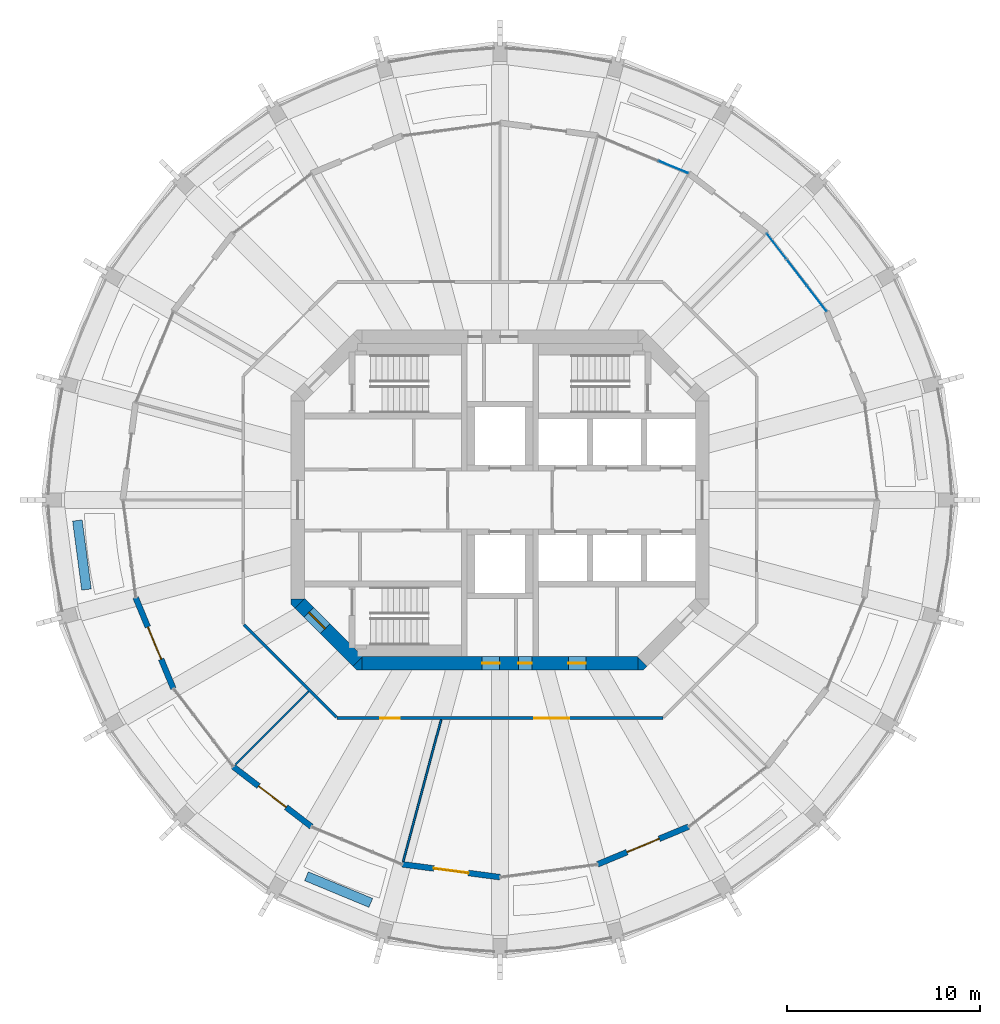
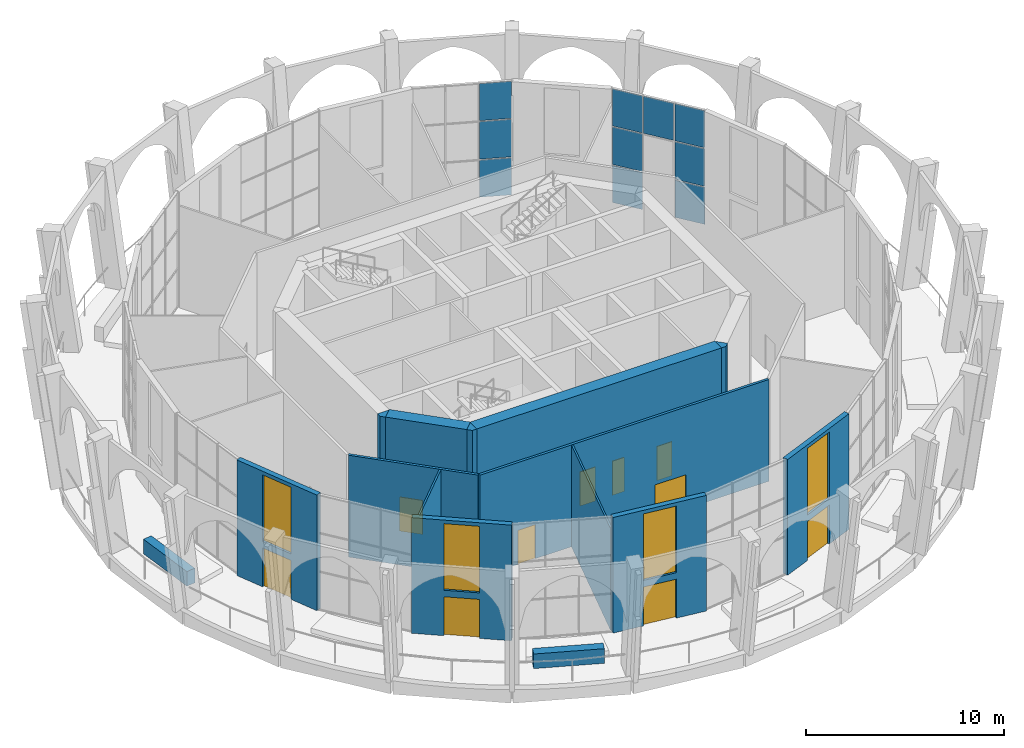
# One storey, part 9 of 16: 15 walls, 10 doors, 10 plates, 4 windows, 14 openings, 2 elements without a shape of their own.
"""IFC4 building model written with IfcOpenShell, lengths in metres."""

from ifc_helpers import new_model, si_unit, direction, frame, frame_2d, origin, origin_2d, place, context, subcontext, project, spatial, polyline, rectangle, outline, extrude, material, layer, layer_set, type_object, element, fill, aggregate, save


model = new_model("IFC4")

# Units and contexts
model_context = context("Model", 3, precision=1e-05, world=origin(), true_north=direction((0.0, 1.0)))
body_context = subcontext(model_context, "Body", "Model", "MODEL_VIEW")
ifc_project = project(units=[si_unit("LENGTHUNIT", "METRE"), si_unit("AREAUNIT", "SQUARE_METRE"), si_unit("VOLUMEUNIT", "CUBIC_METRE"), si_unit("PLANEANGLEUNIT", "RADIAN"), si_unit("MASSUNIT", "GRAM", prefix="KILO")], contexts=[model_context])

# Site, building, storey
site_placement = place(None, origin())
site = spatial("IfcSite", under=ifc_project, at=site_placement, CompositionType="ELEMENT")
building_placement = place(site_placement, origin())
building = spatial("IfcBuilding", under=site, at=building_placement, Name="Torre Triforio", CompositionType="ELEMENT")
storey_placement = place(building_placement, frame((0.0, 0.0, 218.699951171875)))
storey = spatial("IfcBuildingStorey", under=building, at=storey_placement, Name="L50", CompositionType="ELEMENT", Elevation=218.699951171875)

# Curtain wall, plates
ifc_material_1 = material(Name="Aluminium mullion and transom frame with clear laminated glass", Category="aluminium")
curtain_wall_type = type_object("IfcCurtainWallType", Name="Sky garden conservatory wall ECW3", PredefinedType="NOTDEFINED", material=ifc_material_1)
curtain_wall_1_placement = place(storey_placement, origin())
curtain_wall_1 = element("IfcCurtainWall", 1, at=curtain_wall_1_placement, inside=storey, type_object=curtain_wall_type, Name="Conservatory wall L50 bay 03", PredefinedType="NOTDEFINED")
ifc_material_2 = material(Name="Clear laminated glass", Category="glass")
ifc_layer_1 = layer(ifc_material_2, 0.028076171875)
ifc_layer_set_1 = layer_set([ifc_layer_1], Name="Clear laminated glass")
plate_type = type_object("IfcPlateType", Name="ECW3 glass panel 28", PredefinedType="CURTAIN_PANEL", material=ifc_layer_set_1)
plate_1_placement = place(storey_placement, frame((16.3740234375, 10.419189453125, 0.06005859375), z_axis=(0.0, 0.0, 1.0), x_axis=(-0.608767351111, 0.793348796067, 0.0)))
plate_1 = element("IfcPlate", 2, at=plate_1_placement, type_object=plate_type, Name="ECW3 panel 1.1", PredefinedType="CURTAIN_PANEL", context=body_context, shape_type="SweptSolid", body=[
    extrude(rectangle(XDim=1.626953125, YDim=0.028076171875, at=origin_2d()), origin(), (0.0, 0.0, 1.0), 2.283203125),
])
plate_2_placement = place(storey_placement, frame((16.3740234375, 10.419189453125, 2.4033203125), z_axis=(0.0, 0.0, 1.0), x_axis=(-0.608767351111, 0.793348796067, 0.0)))
plate_2 = element("IfcPlate", 3, at=plate_2_placement, type_object=plate_type, Name="ECW3 panel 1.2", PredefinedType="CURTAIN_PANEL", context=body_context, shape_type="SweptSolid", body=[
    extrude(rectangle(XDim=1.626953125, YDim=0.028076171875, at=origin_2d()), origin(), (0.0, 0.0, 1.0), 2.3134765625),
])
plate_3_placement = place(storey_placement, frame((16.3740234375, 10.419189453125, 4.77685546875), z_axis=(0.0, 0.0, 1.0), x_axis=(-0.608767351111, 0.793348796067, 0.0)))
plate_3 = element("IfcPlate", 4, at=plate_3_placement, type_object=plate_type, Name="ECW3 panel 1.3", PredefinedType="CURTAIN_PANEL", context=body_context, shape_type="SweptSolid", body=[
    extrude(rectangle(XDim=1.626953125, YDim=0.028076171875, at=origin_2d()), origin(), (0.0, 0.0, 1.0), 2.283203125),
])
plate_4_placement = place(storey_placement, frame((15.338134765625, 11.769287109375, 4.77685546875), z_axis=(0.0, 0.0, 1.0), x_axis=(-0.608767351111, 0.793348796067, 0.0)))
plate_4 = element("IfcPlate", 5, at=plate_4_placement, type_object=plate_type, Name="ECW3 panel 2.3", PredefinedType="CURTAIN_PANEL", context=body_context, shape_type="SweptSolid", body=[
    extrude(rectangle(XDim=1.65673828125, YDim=0.028076171875, at=origin_2d()), origin(), (0.0, 0.0, 1.0), 2.283203125),
])
plate_5_placement = place(storey_placement, frame((14.302001953125, 13.119384765625, 0.06005859375), z_axis=(0.0, 0.0, 1.0), x_axis=(-0.608767351111, 0.793348796067, 0.0)))
plate_5 = element("IfcPlate", 6, at=plate_5_placement, type_object=plate_type, Name="ECW3 panel 3.1", PredefinedType="CURTAIN_PANEL", context=body_context, shape_type="SweptSolid", body=[
    extrude(rectangle(XDim=1.626953125, YDim=0.028076171875, at=origin_2d()), origin(), (0.0, 0.0, 1.0), 2.283203125),
])
plate_6_placement = place(storey_placement, frame((14.302001953125, 13.119384765625, 2.4033203125), z_axis=(0.0, 0.0, 1.0), x_axis=(-0.608767351111, 0.793348796067, 0.0)))
plate_6 = element("IfcPlate", 7, at=plate_6_placement, type_object=plate_type, Name="ECW3 panel 3.2", PredefinedType="CURTAIN_PANEL", context=body_context, shape_type="SweptSolid", body=[
    extrude(rectangle(XDim=1.626953125, YDim=0.028076171875, at=origin_2d()), origin(), (0.0, 0.0, 1.0), 2.3134765625),
])
plate_7_placement = place(storey_placement, frame((14.302001953125, 13.119384765625, 4.77685546875), z_axis=(0.0, 0.0, 1.0), x_axis=(-0.608767351111, 0.793348796067, 0.0)))
plate_7 = element("IfcPlate", 8, at=plate_7_placement, type_object=plate_type, Name="ECW3 panel 3.3", PredefinedType="CURTAIN_PANEL", context=body_context, shape_type="SweptSolid", body=[
    extrude(rectangle(XDim=1.626953125, YDim=0.028076171875, at=origin_2d()), origin(), (0.0, 0.0, 1.0), 2.283203125),
])
aggregate(curtain_wall_1, [plate_1, plate_2, plate_3, plate_4, plate_5, plate_6, plate_7])

curtain_wall_2_placement = place(storey_placement, origin())
curtain_wall_2 = element("IfcCurtainWall", 9, at=curtain_wall_2_placement, inside=storey, type_object=curtain_wall_type, Name="Conservatory wall L50 bay 05", PredefinedType="NOTDEFINED")
plate_8_placement = place(storey_placement, frame((8.970703125, 17.210205078125, 0.06005859375), z_axis=(0.0, 0.0, 1.0), x_axis=(-0.923879107955, 0.382684457334, 0.0)))
plate_8 = element("IfcPlate", 10, at=plate_8_placement, type_object=plate_type, Name="ECW3 panel 1.1", PredefinedType="CURTAIN_PANEL", context=body_context, shape_type="SweptSolid", body=[
    extrude(rectangle(XDim=1.626708984375, YDim=0.028076171875, at=origin_2d()), origin(), (0.0, 0.0, 1.0), 2.283203125),
])
plate_9_placement = place(storey_placement, frame((8.970703125, 17.210205078125, 2.4033203125), z_axis=(0.0, 0.0, 1.0), x_axis=(-0.923879107955, 0.382684457334, 0.0)))
plate_9 = element("IfcPlate", 11, at=plate_9_placement, type_object=plate_type, Name="ECW3 panel 1.2", PredefinedType="CURTAIN_PANEL", context=body_context, shape_type="SweptSolid", body=[
    extrude(rectangle(XDim=1.626708984375, YDim=0.028076171875, at=origin_2d()), origin(), (0.0, 0.0, 1.0), 2.3134765625),
])
plate_10_placement = place(storey_placement, frame((8.970703125, 17.210205078125, 4.77685546875), z_axis=(0.0, 0.0, 1.0), x_axis=(-0.923879107955, 0.382684457334, 0.0)))
plate_10 = element("IfcPlate", 12, at=plate_10_placement, type_object=plate_type, Name="ECW3 panel 1.3", PredefinedType="CURTAIN_PANEL", context=body_context, shape_type="SweptSolid", body=[
    extrude(rectangle(XDim=1.626708984375, YDim=0.028076171875, at=origin_2d()), origin(), (0.0, 0.0, 1.0), 2.283203125),
])
aggregate(curtain_wall_2, [plate_8, plate_9, plate_10])

# Wall, openings, doors
ifc_material_3 = material(Name="Concrete C50", Category="concrete")
ifc_layer_2 = layer(ifc_material_3, 0.699951171875)
ifc_layer_set_2 = layer_set([ifc_layer_2], Name="Concrete C50")
wall_type_1 = type_object("IfcWallType", Name="Core wall 700 mm C50 EI 120", PredefinedType="SHEAR", material=ifc_layer_set_2)
wall_1_placement = place(storey_placement, frame((-7.1298828125, -8.449951171875, -0.280029296875), z_axis=(0.0, 0.0, 1.0), x_axis=(1.0, 0.0, 0.0)))
wall_1 = element("IfcWall", 13, at=wall_1_placement, inside=storey, type_object=wall_type_1, Name="Core wall", PredefinedType="SHEAR", context=body_context, shape_type="SweptSolid", body=[
    extrude(rectangle(XDim=14.259765625, YDim=0.699951171875, at=frame_2d((7.1298828125, 0.0))), origin(), (0.0, 0.0, 1.0), 7.400146484375),
])
opening_1_placement = place(wall_1_placement, frame((8.080078125, 0.0, 0.280029296875)))
opening_1 = element("IfcOpeningElement", 14, at=opening_1_placement, cuts=wall_1, Name="Opening RISER-S", PredefinedType="OPENING", context=body_context, shape_type="SweptSolid", body=[
    extrude(rectangle(XDim=0.699951171875, YDim=2.10009765625, at=frame_2d((0.35009765625, 1.050048828125))), frame((0.0, 0.35986328125, 0.0), z_axis=(0.0, -1.0, 0.0), x_axis=(1.0, 0.0, 0.0)), (0.0, 0.0, 1.0), 0.719970703125),
])
opening_2_placement = place(wall_1_placement, frame((6.205078125, 0.0, 0.280029296875)))
opening_2 = element("IfcOpeningElement", 15, at=opening_2_placement, cuts=wall_1, Name="Opening SW-01B", PredefinedType="OPENING", context=body_context, shape_type="SweptSolid", body=[
    extrude(rectangle(XDim=0.89990234375, YDim=2.10009765625, at=frame_2d((0.449951171875, 1.050048828125))), frame((0.0, 0.35986328125, 0.0), z_axis=(0.0, -1.0, 0.0), x_axis=(1.0, 0.0, 0.0)), (0.0, 0.0, 1.0), 0.719970703125),
])
opening_3_placement = place(wall_1_placement, frame((10.66748046875, 0.0, 0.280029296875)))
opening_3 = element("IfcOpeningElement", 16, at=opening_3_placement, cuts=wall_1, Name="Opening SE-01A", PredefinedType="OPENING", context=body_context, shape_type="SweptSolid", body=[
    extrude(rectangle(XDim=0.89990234375, YDim=2.10009765625, at=frame_2d((0.449951171875, 1.050048828125))), frame((0.0, 0.35986328125, 0.0), z_axis=(0.0, -1.0, 0.0), x_axis=(1.0, 0.0, 0.0)), (0.0, 0.0, 1.0), 0.719970703125),
])
ifc_material_4 = material(Name="Hollow metal fire door leaf")
door_type_1 = type_object("IfcDoorType", Name="Riser door 700 x 2100 EI 60", OperationType="NOTDEFINED", PredefinedType="DOOR", material=ifc_material_4)
door_1_placement = place(opening_1_placement, origin())
door_1 = element("IfcDoor", 17, at=door_1_placement, inside=storey, type_object=door_type_1, Name="Core door RISER-S", OperationType="SINGLE_SWING_RIGHT", OverallHeight=2.10009765625, OverallWidth=0.699951171875, PredefinedType="DOOR", context=body_context, shape_type="SweptSolid", body=[
    extrude(rectangle(XDim=0.699951171875, YDim=2.10009765625, at=frame_2d((0.35009765625, 1.050048828125))), frame((0.0, 0.02490234375, 0.0), z_axis=(0.0, -1.0, 0.0), x_axis=(1.0, 0.0, 0.0)), (0.0, 0.0, 1.0), 0.050048828125),
])
fill(opening_1, door_1)
door_type_2 = type_object("IfcDoorType", Name="Room door 900 x 2100 EI 60", OperationType="NOTDEFINED", PredefinedType="DOOR", material=ifc_material_4)
door_2_placement = place(opening_2_placement, origin())
door_2 = element("IfcDoor", 18, at=door_2_placement, inside=storey, type_object=door_type_2, Name="Core door SW-01", OperationType="SINGLE_SWING_LEFT", OverallHeight=2.10009765625, OverallWidth=0.89990234375, PredefinedType="DOOR", context=body_context, shape_type="SweptSolid", body=[
    extrude(rectangle(XDim=0.89990234375, YDim=2.10009765625, at=frame_2d((0.449951171875, 1.050048828125))), frame((0.0, 0.02490234375, 0.0), z_axis=(0.0, -1.0, 0.0), x_axis=(1.0, 0.0, 0.0)), (0.0, 0.0, 1.0), 0.050048828125),
])
fill(opening_2, door_2)
door_3_placement = place(opening_3_placement, origin())
door_3 = element("IfcDoor", 19, at=door_3_placement, inside=storey, type_object=door_type_2, Name="Core door SE-01", OperationType="SINGLE_SWING_LEFT", OverallHeight=2.10009765625, OverallWidth=0.89990234375, PredefinedType="DOOR", context=body_context, shape_type="SweptSolid", body=[
    extrude(rectangle(XDim=0.89990234375, YDim=2.10009765625, at=frame_2d((0.449951171875, 1.050048828125))), frame((0.0, 0.02490234375, 0.0), z_axis=(0.0, -1.0, 0.0), x_axis=(1.0, 0.0, 0.0)), (0.0, 0.0, 1.0), 0.050048828125),
])
fill(opening_3, door_3)

# Wall, opening, door
wall_2_placement = place(storey_placement, frame((-7.347412109375, -8.347412109375, -0.280029296875), z_axis=(0.0, 0.0, 1.0), x_axis=(-0.707106781187, 0.707106781187, 0.0)))
wall_2 = element("IfcWall", 20, at=wall_2_placement, inside=storey, type_object=wall_type_1, Name="Core wall", PredefinedType="SHEAR", context=body_context, shape_type="SweptSolid", body=[
    extrude(rectangle(XDim=4.24267578125, YDim=0.699951171875, at=frame_2d((2.121337890625, 0.0))), origin(), (0.0, 0.0, 1.0), 7.400146484375),
])
opening_4_placement = place(wall_2_placement, frame((2.392578125, 0.0, 0.280029296875)))
opening_4 = element("IfcOpeningElement", 21, at=opening_4_placement, cuts=wall_2, Name="Opening ST3-EXIT", PredefinedType="OPENING", context=body_context, shape_type="SweptSolid", body=[
    extrude(rectangle(XDim=1.199951171875, YDim=2.10009765625, at=frame_2d((0.60009765625, 1.050048828125))), frame((0.0, 0.35986328125, 0.0), z_axis=(0.0, -1.0, 0.0), x_axis=(1.0, 0.0, 0.0)), (0.0, 0.0, 1.0), 0.719970703125),
])
door_type_3 = type_object("IfcDoorType", Name="Stair lobby door 1200 x 2100 EI 60", OperationType="NOTDEFINED", PredefinedType="DOOR", material=ifc_material_4)
door_4_placement = place(opening_4_placement, origin())
door_4 = element("IfcDoor", 22, at=door_4_placement, inside=storey, type_object=door_type_3, Name="Core door ST3-EXIT", OperationType="SINGLE_SWING_RIGHT", OverallHeight=2.10009765625, OverallWidth=1.199951171875, PredefinedType="DOOR", context=body_context, shape_type="SweptSolid", body=[
    extrude(rectangle(XDim=1.199951171875, YDim=2.10009765625, at=frame_2d((0.60009765625, 1.050048828125))), frame((0.0, 0.02490234375, 0.0), z_axis=(0.0, -1.0, 0.0), x_axis=(1.0, 0.0, 0.0)), (0.0, 0.0, 1.0), 0.050048828125),
])
fill(opening_4, door_4)

# Walls
wall_3_placement = place(storey_placement, frame((0.0, 0.0, -0.280029296875)))
element("IfcWall", 23, at=wall_3_placement, inside=storey, type_object=wall_type_1, Name="Core wall", PredefinedType="SHEAR", context=body_context, shape_type="SweptSolid", body=[
    extrude(outline(polyline([(-7.389892578125, -8.800048828125), (-7.594970703125, -8.594970703125), (-7.594970703125, -8.594970703125), (-7.594970703125, -8.594970703125), (-7.1298828125, -8.1298828125), (-7.1298828125, -8.800048828125), (-7.1298828125, -8.800048828125), (-7.389892578125, -8.800048828125)])), origin(), (0.0, 0.0, 1.0), 7.400146484375),
])
wall_4_placement = place(storey_placement, frame((0.0, 0.0, -0.280029296875)))
element("IfcWall", 24, at=wall_4_placement, inside=storey, type_object=wall_type_1, Name="Core wall", PredefinedType="SHEAR", context=body_context, shape_type="SweptSolid", body=[
    extrude(outline(polyline([(7.389892578125, -8.800048828125), (7.1298828125, -8.800048828125), (7.1298828125, -8.800048828125), (7.1298828125, -8.1298828125), (7.594970703125, -8.594970703125), (7.594970703125, -8.594970703125), (7.594970703125, -8.594970703125), (7.389892578125, -8.800048828125)])), origin(), (0.0, 0.0, 1.0), 7.400146484375),
])
wall_5_placement = place(storey_placement, frame((0.0, 0.0, -0.280029296875)))
element("IfcWall", 25, at=wall_5_placement, inside=storey, type_object=wall_type_1, Name="Core wall", PredefinedType="SHEAR", context=body_context, shape_type="SweptSolid", body=[
    extrude(outline(polyline([(-10.800048828125, -5.389892578125), (-10.800048828125, -5.1298828125), (-10.800048828125, -5.1298828125), (-10.1298828125, -5.1298828125), (-10.594970703125, -5.594970703125), (-10.594970703125, -5.594970703125), (-10.594970703125, -5.594970703125), (-10.800048828125, -5.389892578125)])), origin(), (0.0, 0.0, 1.0), 7.400146484375),
])

# Wall, openings, doors
ifc_material_5 = material(Name="Plasterboard on metal studs")
ifc_layer_3 = layer(ifc_material_5, 0.14990234375)
ifc_layer_set_3 = layer_set([ifc_layer_3], Name="Plasterboard on metal studs")
wall_type_2 = type_object("IfcWallType", Name="Corridor and tenancy wall 150 mm EI 60", PredefinedType="PARTITIONING", material=ifc_layer_set_3)
wall_6_placement = place(storey_placement, frame((8.4150390625, -11.27490234375, 0.0), z_axis=(0.0, 0.0, 1.0), x_axis=(-1.0, 0.0, 0.0)))
wall_6 = element("IfcWall", 26, at=wall_6_placement, inside=storey, type_object=wall_type_2, Name="Partition 2", PredefinedType="PARTITIONING", context=body_context, shape_type="SweptSolid", body=[
    extrude(rectangle(XDim=16.830078125, YDim=0.14990234375, at=frame_2d((8.4150390625, 0.0))), origin(), (0.0, 0.0, 1.0), 6.27001953125),
])
opening_5_placement = place(wall_6_placement, frame((13.6083984375, 0.0, 0.0)))
opening_5 = element("IfcOpeningElement", 27, at=opening_5_placement, cuts=wall_6, Name="Opening G3-06", PredefinedType="OPENING", context=body_context, shape_type="SweptSolid", body=[
    extrude(rectangle(XDim=1.0, YDim=2.10009765625, at=frame_2d((0.5, 1.050048828125))), frame((0.0, 0.0849609375, 0.0), z_axis=(0.0, -1.0, 0.0), x_axis=(1.0, 0.0, 0.0)), (0.0, 0.0, 1.0), 0.169921875),
])
opening_6_placement = place(wall_6_placement, frame((4.843994140625, 0.0, 0.0)))
opening_6 = element("IfcOpeningElement", 28, at=opening_6_placement, cuts=wall_6, Name="Opening G3-07", PredefinedType="OPENING", context=body_context, shape_type="SweptSolid", body=[
    extrude(rectangle(XDim=1.800048828125, YDim=2.10009765625, at=frame_2d((0.89990234375, 1.050048828125))), frame((0.0, 0.0849609375, 0.0), z_axis=(0.0, -1.0, 0.0), x_axis=(1.0, 0.0, 0.0)), (0.0, 0.0, 1.0), 0.169921875),
])
ifc_material_6 = material(Name="Timber", Category="wood")
door_type_4 = type_object("IfcDoorType", Name="Door 1000 x 2100 single leaf EI 30", OperationType="NOTDEFINED", PredefinedType="DOOR", material=ifc_material_6)
door_5_placement = place(opening_5_placement, origin())
door_5 = element("IfcDoor", 29, at=door_5_placement, inside=storey, type_object=door_type_4, Name="Door G3-06", OperationType="SINGLE_SWING_LEFT", OverallHeight=2.10009765625, OverallWidth=1.0, PredefinedType="DOOR", context=body_context, shape_type="SweptSolid", body=[
    extrude(rectangle(XDim=1.0, YDim=2.10009765625, at=frame_2d((0.5, 1.050048828125))), frame((0.0, 0.02490234375, 0.0), z_axis=(0.0, -1.0, 0.0), x_axis=(1.0, 0.0, 0.0)), (0.0, 0.0, 1.0), 0.050048828125),
])
fill(opening_5, door_5)
door_type_5 = type_object("IfcDoorType", Name="Door 1800 x 2100 double leaf EI 30", OperationType="DOUBLE_DOOR_SINGLE_SWING", PredefinedType="DOOR", material=ifc_material_6)
door_6_placement = place(opening_6_placement, origin())
door_6 = element("IfcDoor", 30, at=door_6_placement, inside=storey, type_object=door_type_5, Name="Door G3-07", OperationType="DOUBLE_DOOR_SINGLE_SWING", OverallHeight=2.10009765625, OverallWidth=1.800048828125, PredefinedType="DOOR", context=body_context, shape_type="SweptSolid", body=[
    extrude(rectangle(XDim=1.800048828125, YDim=2.10009765625, at=frame_2d((0.89990234375, 1.050048828125))), frame((0.0, 0.02490234375, 0.0), z_axis=(0.0, -1.0, 0.0), x_axis=(1.0, 0.0, 0.0)), (0.0, 0.0, 1.0), 0.050048828125),
])
fill(opening_6, door_6)

# Walls
wall_7_placement = place(storey_placement, frame((-8.452392578125, -11.23779296875, 0.0), z_axis=(0.0, 0.0, 1.0), x_axis=(-0.707106781187, 0.707106781187, 0.0)))
element("IfcWall", 31, at=wall_7_placement, inside=storey, type_object=wall_type_2, Name="Partition 3", PredefinedType="PARTITIONING", context=body_context, shape_type="SweptSolid", body=[
    extrude(rectangle(XDim=6.767578125, YDim=0.14990234375, at=frame_2d((3.3837890625, 0.0))), origin(), (0.0, 0.0, 1.0), 6.27001953125),
])
ifc_layer_4 = layer(ifc_material_5, 0.10009765625)
ifc_layer_set_4 = layer_set([ifc_layer_4], Name="Plasterboard on metal studs")
wall_type_3 = type_object("IfcWallType", Name="Partition 100 mm board on metal studs", PredefinedType="PARTITIONING", material=ifc_layer_set_4)
wall_8_placement = place(storey_placement, frame((-9.898193359375, -9.898193359375, 0.0), z_axis=(0.0, 0.0, 1.0), x_axis=(-0.707106781187, -0.707106781187, 0.0)))
element("IfcWall", 32, at=wall_8_placement, inside=storey, type_object=wall_type_3, Name="Partition 18", PredefinedType="PARTITIONING", context=body_context, shape_type="SweptSolid", body=[
    extrude(rectangle(XDim=5.338623046875, YDim=0.10009765625, at=frame_2d((2.66943359375, 0.0))), origin(), (0.0, 0.0, 1.0), 6.27001953125),
])
wall_9_placement = place(storey_placement, frame((-3.045166015625, -11.3642578125, 0.0), z_axis=(0.0, 0.0, 1.0), x_axis=(-0.25879840648, -0.965931356155, 0.0)))
element("IfcWall", 33, at=wall_9_placement, inside=storey, type_object=wall_type_3, Name="Partition 19", PredefinedType="PARTITIONING", context=body_context, shape_type="SweptSolid", body=[
    extrude(rectangle(XDim=7.571533203125, YDim=0.10009765625, at=frame_2d((3.78564453125, 0.0))), origin(), (0.0, 0.0, 1.0), 6.27001953125),
])
ifc_material_7 = material(Name="Limestone cladding", Category="masonry")
ifc_layer_5 = layer(ifc_material_7, 0.10009765625)
ifc_material_8 = material(Name="Concrete C40", Category="concrete")
ifc_layer_6 = layer(ifc_material_8, 0.39990234375)
ifc_layer_set_5 = layer_set([ifc_layer_5, ifc_layer_6], Name="Limestone cladding / Concrete C40")
wall_type_4 = type_object("IfcWallType", Name="Planter wall 500", PredefinedType="PARAPET", material=ifc_layer_set_5)
for number, where, z_axis, x_axis, name in (
    (34, (-21.848388671875, -1.060791015625, 0.0), (0.0, 0.0, 1.0), (0.130475563272, -0.991451525486, 0.0), "Planter L50 bay 13"),
    (35, (-10.005615234375, -19.45166015625, 0.0), (0.0, 0.0, 1.0), (0.923885420167, -0.382669217998, 0.0), "Planter L50 bay 17"),
):
    element("IfcWall", number, at=place(storey_placement, frame(where, z_axis=z_axis, x_axis=x_axis)), inside=storey, type_object=wall_type_4, Name=name, PredefinedType="PARAPET", context=body_context, shape_type="SweptSolid", body=[
        extrude(rectangle(XDim=3.60009765625, YDim=0.5, at=frame_2d((1.800048828125, 0.0))), origin(), (0.0, 0.0, 1.0), 0.900146484375),
    ])

# Wall, openings, window, door
ifc_layer_7 = layer(ifc_material_7, 0.10009765625)
ifc_layer_8 = layer(ifc_material_8, 0.199951171875)
ifc_layer_set_6 = layer_set([ifc_layer_7, ifc_layer_8], Name="Limestone cladding / Concrete C40")
wall_type_5 = type_object("IfcWallType", Name="Stone-faced composite wall 300", PredefinedType="STANDARD", material=ifc_layer_set_6)
wall_10_placement = place(storey_placement, frame((-18.835693359375, -5.047119140625, 0.0), z_axis=(0.0, 0.0, 1.0), x_axis=(0.382724538613, -0.923862504675, 0.0)))
wall_10 = element("IfcWall", 36, at=wall_10_placement, inside=storey, type_object=wall_type_5, Name="External wall L50 bay 14", PredefinedType="STANDARD", context=body_context, shape_type="SweptSolid", body=[
    extrude(rectangle(XDim=5.090576171875, YDim=0.300048828125, at=frame_2d((2.54541015625, 0.0))), origin(), (0.0, 0.0, 1.0), 7.1201171875),
])
opening_7_placement = place(wall_10_placement, frame((1.645263671875, 0.0, 0.0)))
opening_7 = element("IfcOpeningElement", 37, at=opening_7_placement, cuts=wall_10, Name="Opening G3-D14", PredefinedType="OPENING", context=body_context, shape_type="SweptSolid", body=[
    extrude(rectangle(XDim=1.800048828125, YDim=2.39990234375, at=frame_2d((0.89990234375, 1.199951171875))), frame((0.0, 0.159912109375, 0.0), z_axis=(0.0, -1.0, 0.0), x_axis=(1.0, 0.0, 0.0)), (0.0, 0.0, 1.0), 0.320068359375),
])
opening_8_placement = place(wall_10_placement, frame((1.645263671875, 0.0, 2.800048828125)))
opening_8 = element("IfcOpeningElement", 38, at=opening_8_placement, cuts=wall_10, Name="Opening G3-W14", PredefinedType="OPENING", context=body_context, shape_type="SweptSolid", body=[
    extrude(rectangle(XDim=1.800048828125, YDim=4.10009765625, at=frame_2d((0.89990234375, 2.050048828125))), frame((0.0, 0.159912109375, 0.0), z_axis=(0.0, -1.0, 0.0), x_axis=(1.0, 0.0, 0.0)), (0.0, 0.0, 1.0), 0.320068359375),
])
ifc_material_9 = material(Name="Aluminium frame with clear double glazing", Category="aluminium")
window_type = type_object("IfcWindowType", Name="Garden clerestory window 1800 x 4100", PartitioningType="DOUBLE_PANEL_VERTICAL", PredefinedType="WINDOW", material=ifc_material_9)
window_1_placement = place(opening_8_placement, origin())
window_1 = element("IfcWindow", 39, at=window_1_placement, inside=storey, type_object=window_type, Name="Clerestory EWN22 L50 bay 14", OverallHeight=4.10009765625, OverallWidth=1.800048828125, PartitioningType="SINGLE_PANEL", PredefinedType="WINDOW", context=body_context, shape_type="SweptSolid", body=[
    extrude(rectangle(XDim=1.800048828125, YDim=4.10009765625, at=frame_2d((0.89990234375, 2.050048828125))), frame((0.0, 0.030029296875, 0.0), z_axis=(0.0, -1.0, 0.0), x_axis=(1.0, 0.0, 0.0)), (0.0, 0.0, 1.0), 0.06005859375),
])
fill(opening_8, window_1)
door_type_6 = type_object("IfcDoorType", Name="Terrace double door 1800 x 2400", OperationType="DOUBLE_DOOR_SINGLE_SWING", PredefinedType="DOOR", material=ifc_material_9)
door_7_placement = place(opening_7_placement, origin())
door_7 = element("IfcDoor", 40, at=door_7_placement, inside=storey, type_object=door_type_6, Name="Terrace door L50 bay 14", OperationType="SINGLE_SWING_LEFT", OverallHeight=2.39990234375, OverallWidth=1.800048828125, PredefinedType="DOOR", context=body_context, shape_type="SweptSolid", body=[
    extrude(rectangle(XDim=1.800048828125, YDim=2.39990234375, at=frame_2d((0.89990234375, 1.199951171875))), frame((0.0, 0.02490234375, 0.0), z_axis=(0.0, -1.0, 0.0), x_axis=(1.0, 0.0, 0.0)), (0.0, 0.0, 1.0), 0.050048828125),
])
fill(opening_7, door_7)

wall_11_placement = place(storey_placement, frame((-13.78857421875, -13.78857421875, 0.0), z_axis=(0.0, 0.0, 1.0), x_axis=(0.79335619014, -0.608757714995, 0.0)))
wall_11 = element("IfcWall", 41, at=wall_11_placement, inside=storey, type_object=wall_type_5, Name="External wall L50 bay 16", PredefinedType="STANDARD", context=body_context, shape_type="SweptSolid", body=[
    extrude(rectangle(XDim=5.090576171875, YDim=0.300048828125, at=frame_2d((2.54541015625, 0.0))), origin(), (0.0, 0.0, 1.0), 7.1201171875),
])
opening_9_placement = place(wall_11_placement, frame((1.645263671875, 0.0, 0.0)))
opening_9 = element("IfcOpeningElement", 42, at=opening_9_placement, cuts=wall_11, Name="Opening G3-D16", PredefinedType="OPENING", context=body_context, shape_type="SweptSolid", body=[
    extrude(rectangle(XDim=1.800048828125, YDim=2.39990234375, at=frame_2d((0.89990234375, 1.199951171875))), frame((0.0, 0.159912109375, 0.0), z_axis=(0.0, -1.0, 0.0), x_axis=(1.0, 0.0, 0.0)), (0.0, 0.0, 1.0), 0.320068359375),
])
opening_10_placement = place(wall_11_placement, frame((1.645263671875, 0.0, 2.800048828125)))
opening_10 = element("IfcOpeningElement", 43, at=opening_10_placement, cuts=wall_11, Name="Opening G3-W16", PredefinedType="OPENING", context=body_context, shape_type="SweptSolid", body=[
    extrude(rectangle(XDim=1.800048828125, YDim=4.10009765625, at=frame_2d((0.89990234375, 2.050048828125))), frame((0.0, 0.159912109375, 0.0), z_axis=(0.0, -1.0, 0.0), x_axis=(1.0, 0.0, 0.0)), (0.0, 0.0, 1.0), 0.320068359375),
])
window_2_placement = place(opening_10_placement, origin())
window_2 = element("IfcWindow", 44, at=window_2_placement, inside=storey, type_object=window_type, Name="Clerestory EWN22 L50 bay 16", OverallHeight=4.10009765625, OverallWidth=1.800048828125, PartitioningType="SINGLE_PANEL", PredefinedType="WINDOW", context=body_context, shape_type="SweptSolid", body=[
    extrude(rectangle(XDim=1.800048828125, YDim=4.10009765625, at=frame_2d((0.89990234375, 2.050048828125))), frame((0.0, 0.030029296875, 0.0), z_axis=(0.0, -1.0, 0.0), x_axis=(1.0, 0.0, 0.0)), (0.0, 0.0, 1.0), 0.06005859375),
])
fill(opening_10, window_2)
door_8_placement = place(opening_9_placement, origin())
door_8 = element("IfcDoor", 45, at=door_8_placement, inside=storey, type_object=door_type_6, Name="Terrace door L50 bay 16", OperationType="SINGLE_SWING_LEFT", OverallHeight=2.39990234375, OverallWidth=1.800048828125, PredefinedType="DOOR", context=body_context, shape_type="SweptSolid", body=[
    extrude(rectangle(XDim=1.800048828125, YDim=2.39990234375, at=frame_2d((0.89990234375, 1.199951171875))), frame((0.0, 0.02490234375, 0.0), z_axis=(0.0, -1.0, 0.0), x_axis=(1.0, 0.0, 0.0)), (0.0, 0.0, 1.0), 0.050048828125),
])
fill(opening_9, door_8)

wall_12_placement = place(storey_placement, frame((-5.047119140625, -18.835693359375, 0.0), z_axis=(0.0, 0.0, 1.0), x_axis=(0.99144890792, -0.130495451964, 0.0)))
wall_12 = element("IfcWall", 46, at=wall_12_placement, inside=storey, type_object=wall_type_5, Name="External wall L50 bay 18", PredefinedType="STANDARD", context=body_context, shape_type="SweptSolid", body=[
    extrude(rectangle(XDim=5.090576171875, YDim=0.300048828125, at=frame_2d((2.54541015625, 0.0))), origin(), (0.0, 0.0, 1.0), 7.1201171875),
])
opening_11_placement = place(wall_12_placement, frame((1.645263671875, 0.0, 0.0)))
opening_11 = element("IfcOpeningElement", 47, at=opening_11_placement, cuts=wall_12, Name="Opening G3-D18", PredefinedType="OPENING", context=body_context, shape_type="SweptSolid", body=[
    extrude(rectangle(XDim=1.800048828125, YDim=2.39990234375, at=frame_2d((0.89990234375, 1.199951171875))), frame((0.0, 0.159912109375, 0.0), z_axis=(0.0, -1.0, 0.0), x_axis=(1.0, 0.0, 0.0)), (0.0, 0.0, 1.0), 0.320068359375),
])
opening_12_placement = place(wall_12_placement, frame((1.645263671875, 0.0, 2.800048828125)))
opening_12 = element("IfcOpeningElement", 48, at=opening_12_placement, cuts=wall_12, Name="Opening G3-W18", PredefinedType="OPENING", context=body_context, shape_type="SweptSolid", body=[
    extrude(rectangle(XDim=1.800048828125, YDim=4.10009765625, at=frame_2d((0.89990234375, 2.050048828125))), frame((0.0, 0.159912109375, 0.0), z_axis=(0.0, -1.0, 0.0), x_axis=(1.0, 0.0, 0.0)), (0.0, 0.0, 1.0), 0.320068359375),
])
window_3_placement = place(opening_12_placement, origin())
window_3 = element("IfcWindow", 49, at=window_3_placement, inside=storey, type_object=window_type, Name="Clerestory EWN22 L50 bay 18", OverallHeight=4.10009765625, OverallWidth=1.800048828125, PartitioningType="SINGLE_PANEL", PredefinedType="WINDOW", context=body_context, shape_type="SweptSolid", body=[
    extrude(rectangle(XDim=1.800048828125, YDim=4.10009765625, at=frame_2d((0.89990234375, 2.050048828125))), frame((0.0, 0.030029296875, 0.0), z_axis=(0.0, -1.0, 0.0), x_axis=(1.0, 0.0, 0.0)), (0.0, 0.0, 1.0), 0.06005859375),
])
fill(opening_12, window_3)
door_9_placement = place(opening_11_placement, origin())
door_9 = element("IfcDoor", 50, at=door_9_placement, inside=storey, type_object=door_type_6, Name="Terrace door L50 bay 18", OperationType="SINGLE_SWING_LEFT", OverallHeight=2.39990234375, OverallWidth=1.800048828125, PredefinedType="DOOR", context=body_context, shape_type="SweptSolid", body=[
    extrude(rectangle(XDim=1.800048828125, YDim=2.39990234375, at=frame_2d((0.89990234375, 1.199951171875))), frame((0.0, 0.02490234375, 0.0), z_axis=(0.0, -1.0, 0.0), x_axis=(1.0, 0.0, 0.0)), (0.0, 0.0, 1.0), 0.050048828125),
])
fill(opening_11, door_9)

wall_13_placement = place(storey_placement, frame((5.047119140625, -18.835693359375, 0.0), z_axis=(0.0, 0.0, 1.0), x_axis=(0.923862504675, 0.382724538613, 0.0)))
wall_13 = element("IfcWall", 51, at=wall_13_placement, inside=storey, type_object=wall_type_5, Name="External wall L50 bay 20", PredefinedType="STANDARD", context=body_context, shape_type="SweptSolid", body=[
    extrude(rectangle(XDim=5.090576171875, YDim=0.300048828125, at=frame_2d((2.54541015625, 0.0))), origin(), (0.0, 0.0, 1.0), 7.1201171875),
])
opening_13_placement = place(wall_13_placement, frame((1.645263671875, 0.0, 0.0)))
opening_13 = element("IfcOpeningElement", 52, at=opening_13_placement, cuts=wall_13, Name="Opening G3-D20", PredefinedType="OPENING", context=body_context, shape_type="SweptSolid", body=[
    extrude(rectangle(XDim=1.800048828125, YDim=2.39990234375, at=frame_2d((0.89990234375, 1.199951171875))), frame((0.0, 0.159912109375, 0.0), z_axis=(0.0, -1.0, 0.0), x_axis=(1.0, 0.0, 0.0)), (0.0, 0.0, 1.0), 0.320068359375),
])
opening_14_placement = place(wall_13_placement, frame((1.645263671875, 0.0, 2.800048828125)))
opening_14 = element("IfcOpeningElement", 53, at=opening_14_placement, cuts=wall_13, Name="Opening G3-W20", PredefinedType="OPENING", context=body_context, shape_type="SweptSolid", body=[
    extrude(rectangle(XDim=1.800048828125, YDim=4.10009765625, at=frame_2d((0.89990234375, 2.050048828125))), frame((0.0, 0.159912109375, 0.0), z_axis=(0.0, -1.0, 0.0), x_axis=(1.0, 0.0, 0.0)), (0.0, 0.0, 1.0), 0.320068359375),
])
window_4_placement = place(opening_14_placement, origin())
window_4 = element("IfcWindow", 54, at=window_4_placement, inside=storey, type_object=window_type, Name="Clerestory EWN22 L50 bay 20", OverallHeight=4.10009765625, OverallWidth=1.800048828125, PartitioningType="SINGLE_PANEL", PredefinedType="WINDOW", context=body_context, shape_type="SweptSolid", body=[
    extrude(rectangle(XDim=1.800048828125, YDim=4.10009765625, at=frame_2d((0.89990234375, 2.050048828125))), frame((0.0, 0.030029296875, 0.0), z_axis=(0.0, -1.0, 0.0), x_axis=(1.0, 0.0, 0.0)), (0.0, 0.0, 1.0), 0.06005859375),
])
fill(opening_14, window_4)
door_10_placement = place(opening_13_placement, origin())
door_10 = element("IfcDoor", 55, at=door_10_placement, inside=storey, type_object=door_type_6, Name="Terrace door L50 bay 20", OperationType="SINGLE_SWING_LEFT", OverallHeight=2.39990234375, OverallWidth=1.800048828125, PredefinedType="DOOR", context=body_context, shape_type="SweptSolid", body=[
    extrude(rectangle(XDim=1.800048828125, YDim=2.39990234375, at=frame_2d((0.89990234375, 1.199951171875))), frame((0.0, 0.02490234375, 0.0), z_axis=(0.0, -1.0, 0.0), x_axis=(1.0, 0.0, 0.0)), (0.0, 0.0, 1.0), 0.050048828125),
])
fill(opening_13, door_10)

save(model, "model.ifc")
